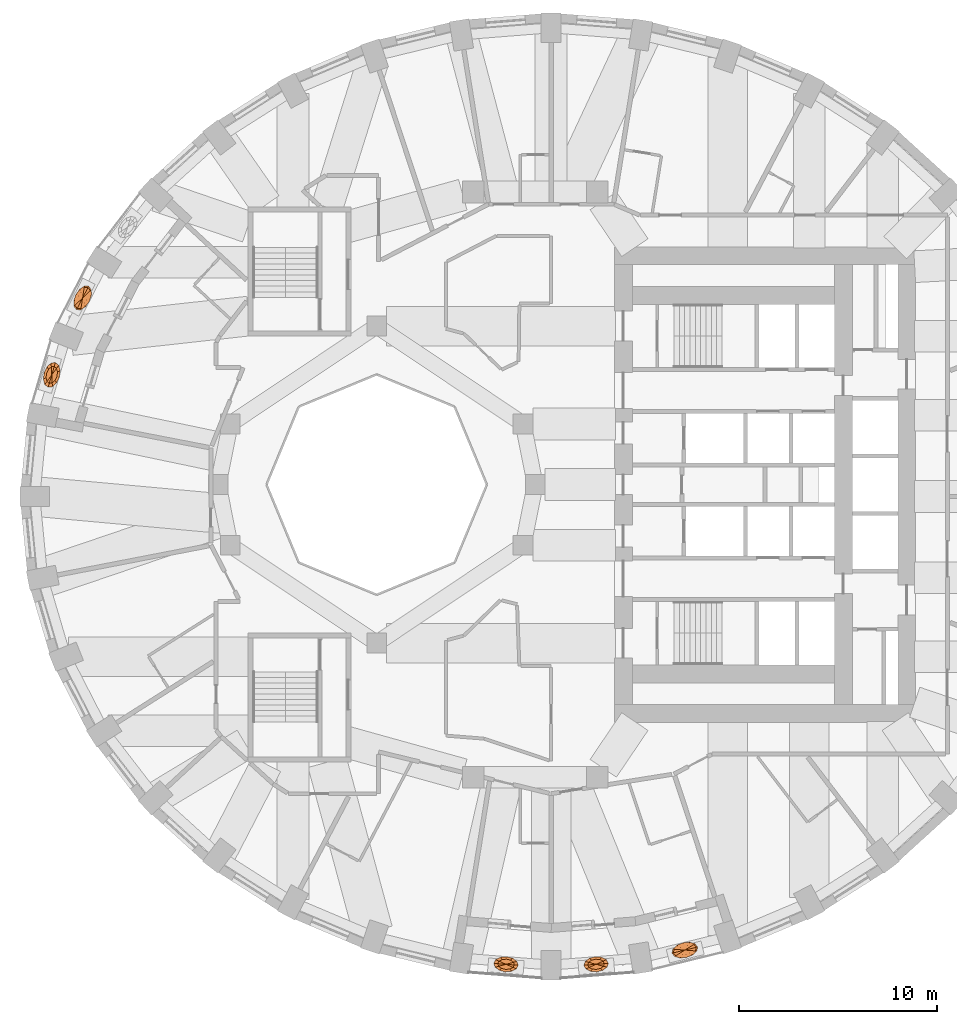
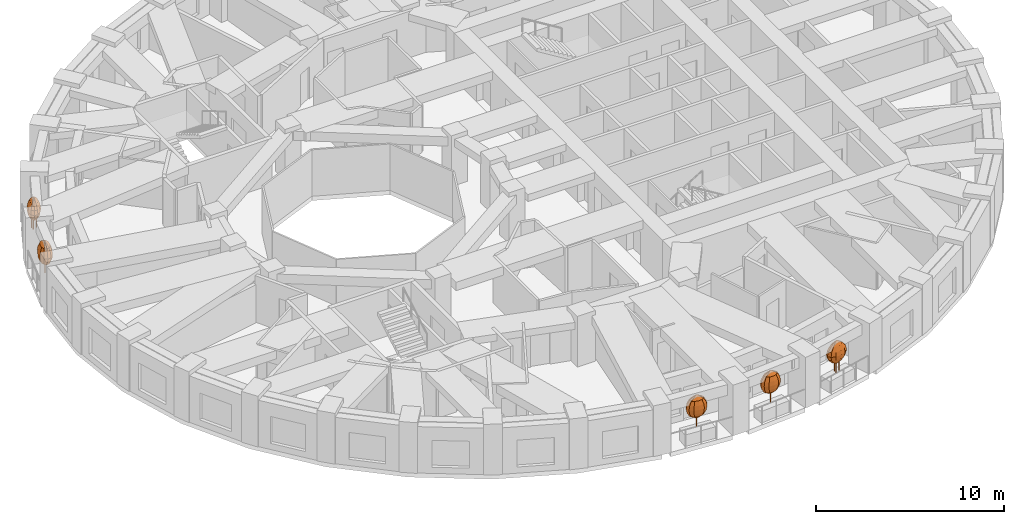
# One storey, part 12 of 13: 5 geographic elements.
"""IFC4 building model written with IfcOpenShell, lengths in metres."""

from ifc_helpers import new_model, si_unit, direction, frame, origin, place, context, subcontext, project, spatial, faceted_brep, material, constituent, constituent_set, type_object, element, save


model = new_model("IFC4")

# Units and contexts
model_context = context("Model", 3, precision=1e-05, world=origin(), true_north=direction((0.0, 1.0)))
body_context = subcontext(model_context, "Body", "Model", "MODEL_VIEW")
ifc_project = project(units=[si_unit("LENGTHUNIT", "METRE"), si_unit("AREAUNIT", "SQUARE_METRE"), si_unit("VOLUMEUNIT", "CUBIC_METRE"), si_unit("PLANEANGLEUNIT", "RADIAN"), si_unit("MASSUNIT", "GRAM", prefix="KILO")], contexts=[model_context])

# Site, building, storey
site_placement = place(None, origin())
site = spatial("IfcSite", under=ifc_project, at=site_placement, CompositionType="ELEMENT")
building_placement = place(site_placement, origin())
building = spatial("IfcBuilding", under=site, at=building_placement, Name="Taillehof Tower", CompositionType="ELEMENT")
storey_placement = place(building_placement, frame((0.0, 0.0, 108.699951171875)))
storey = spatial("IfcBuildingStorey", under=building, at=storey_placement, Name="L30", CompositionType="ELEMENT", Elevation=108.699951171875)

# Geographic elements
ifc_material_1 = material(Name="Tree bark", Category="timber")
ifc_constituent_1 = constituent(ifc_material_1, Name="Trunk", Category="timber")
ifc_material_2 = material(Name="Tree foliage")
ifc_constituent_2 = constituent(ifc_material_2, Name="Crown")
ifc_constituent_set_1 = constituent_set(constituents=[ifc_constituent_1, ifc_constituent_2], Name="Tree TR1 Columnar hornbeam")
geographic_element_type_1 = type_object("IfcGeographicElementType", Name="Tree TR1 Columnar hornbeam", PredefinedType="USERDEFINED", material=ifc_constituent_set_1)
geographic_element_1_placement = place(storey_placement, frame((-24.39794921875, 5.535888671875, 0.75)))
element("IfcGeographicElement", 1, at=geographic_element_1_placement, inside=storey, type_object=geographic_element_type_1, Name="Tree TR1 Columnar hornbeam", ObjectType="TREE", PredefinedType="USERDEFINED", context=body_context, shape_type="Brep", body=[
    faceted_brep([(0.030029296875, 0.0, 0.0), (0.021240234375, 0.021240234375, 0.0), (0.021240234375, 0.021240234375, 1.092529296875), (0.030029296875, 0.0, 1.092529296875), (0.0, 0.030029296875, 0.0), (0.0, 0.030029296875, 1.092529296875), (-0.021240234375, 0.021240234375, 0.0), (-0.021240234375, 0.021240234375, 1.092529296875), (-0.030029296875, 0.0, 0.0), (-0.030029296875, 0.0, 1.092529296875), (-0.021240234375, -0.021240234375, 0.0), (-0.021240234375, -0.021240234375, 1.092529296875), (0.0, -0.030029296875, 0.0), (0.0, -0.030029296875, 1.092529296875), (0.021240234375, -0.021240234375, 0.0), (0.021240234375, -0.021240234375, 1.092529296875)], [[[0, 1, 2, 3]], [[1, 4, 5, 2]], [[4, 6, 7, 5]], [[6, 8, 9, 7]], [[8, 10, 11, 9]], [[10, 12, 13, 11]], [[12, 14, 15, 13]], [[14, 0, 3, 15]], [[14, 12, 10, 8, 6, 4, 1, 0]], [[3, 2, 5, 7, 9, 11, 13, 15]]]),
    faceted_brep([(0.0, 0.0, 0.550048828125), (0.022216796875, -0.407470703125, 0.808349609375), (-0.125732421875, -0.42578125, 0.808349609375), (0.1640625, -0.27978515625, 0.808349609375), (0.261962890625, -0.077392578125, 0.808349609375), (0.289794921875, 0.14599609375, 0.808349609375), (0.23974609375, 0.330078125, 0.808349609375), (0.125732421875, 0.42578125, 0.808349609375), (-0.022216796875, 0.407470703125, 0.808349609375), (-0.1640625, 0.27978515625, 0.808349609375), (-0.261962890625, 0.077392578125, 0.808349609375), (-0.289794921875, -0.14599609375, 0.808349609375), (-0.23974609375, -0.330078125, 0.808349609375), (0.030029296875, -0.551025390625, 1.066650390625), (-0.169921875, -0.575927734375, 1.066650390625), (0.221923828125, -0.378662109375, 1.066650390625), (0.3544921875, -0.1044921875, 1.066650390625), (0.391845703125, 0.197509765625, 1.066650390625), (0.324462890625, 0.446533203125, 1.066650390625), (0.169921875, 0.575927734375, 1.066650390625), (-0.030029296875, 0.551025390625, 1.066650390625), (-0.221923828125, 0.378662109375, 1.066650390625), (-0.3544921875, 0.1044921875, 1.066650390625), (-0.391845703125, -0.197509765625, 1.066650390625), (-0.324462890625, -0.446533203125, 1.066650390625), (0.032470703125, -0.596435546875, 1.324951171875), (-0.18408203125, -0.62353515625, 1.324951171875), (0.240234375, -0.40966796875, 1.324951171875), (0.383544921875, -0.11328125, 1.324951171875), (0.42431640625, 0.213623046875, 1.324951171875), (0.35107421875, 0.4833984375, 1.324951171875), (0.18408203125, 0.62353515625, 1.324951171875), (-0.032470703125, 0.596435546875, 1.324951171875), (-0.240234375, 0.40966796875, 1.324951171875), (-0.383544921875, 0.11328125, 1.324951171875), (-0.42431640625, -0.213623046875, 1.324951171875), (-0.35107421875, -0.4833984375, 1.324951171875), (0.030029296875, -0.551025390625, 1.583251953125), (-0.169921875, -0.575927734375, 1.583251953125), (0.221923828125, -0.378662109375, 1.583251953125), (0.3544921875, -0.1044921875, 1.583251953125), (0.391845703125, 0.197509765625, 1.583251953125), (0.324462890625, 0.446533203125, 1.583251953125), (0.169921875, 0.575927734375, 1.583251953125), (-0.030029296875, 0.551025390625, 1.583251953125), (-0.221923828125, 0.378662109375, 1.583251953125), (-0.3544921875, 0.1044921875, 1.583251953125), (-0.391845703125, -0.197509765625, 1.583251953125), (-0.324462890625, -0.446533203125, 1.583251953125), (0.022216796875, -0.407470703125, 1.841552734375), (-0.125732421875, -0.42578125, 1.841552734375), (0.1640625, -0.27978515625, 1.841552734375), (0.261962890625, -0.077392578125, 1.841552734375), (0.289794921875, 0.14599609375, 1.841552734375), (0.23974609375, 0.330078125, 1.841552734375), (0.125732421875, 0.42578125, 1.841552734375), (-0.022216796875, 0.407470703125, 1.841552734375), (-0.1640625, 0.27978515625, 1.841552734375), (-0.261962890625, 0.077392578125, 1.841552734375), (-0.289794921875, -0.14599609375, 1.841552734375), (-0.23974609375, -0.330078125, 1.841552734375), (0.0, 0.0, 2.10009765625)], [[[0, 1, 2]], [[0, 3, 1]], [[0, 4, 3]], [[0, 5, 4]], [[0, 6, 5]], [[0, 7, 6]], [[0, 8, 7]], [[0, 9, 8]], [[0, 10, 9]], [[0, 11, 10]], [[0, 12, 11]], [[0, 2, 12]], [[2, 1, 13, 14]], [[1, 3, 15, 13]], [[3, 4, 16, 15]], [[4, 5, 17, 16]], [[5, 6, 18, 17]], [[6, 7, 19, 18]], [[7, 8, 20, 19]], [[8, 9, 21, 20]], [[9, 10, 22, 21]], [[10, 11, 23, 22]], [[11, 12, 24, 23]], [[12, 2, 14, 24]], [[14, 13, 25, 26]], [[13, 15, 27, 25]], [[15, 16, 28, 27]], [[16, 17, 29, 28]], [[17, 18, 30, 29]], [[18, 19, 31, 30]], [[19, 20, 32, 31]], [[20, 21, 33, 32]], [[21, 22, 34, 33]], [[22, 23, 35, 34]], [[23, 24, 36, 35]], [[24, 14, 26, 36]], [[26, 25, 37, 38]], [[25, 27, 39, 37]], [[27, 28, 40, 39]], [[28, 29, 41, 40]], [[29, 30, 42, 41]], [[30, 31, 43, 42]], [[31, 32, 44, 43]], [[32, 33, 45, 44]], [[33, 34, 46, 45]], [[34, 35, 47, 46]], [[35, 36, 48, 47]], [[36, 26, 38, 48]], [[38, 37, 49, 50]], [[37, 39, 51, 49]], [[39, 40, 52, 51]], [[40, 41, 53, 52]], [[41, 42, 54, 53]], [[42, 43, 55, 54]], [[43, 44, 56, 55]], [[44, 45, 57, 56]], [[45, 46, 58, 57]], [[46, 47, 59, 58]], [[47, 48, 60, 59]], [[48, 38, 50, 60]], [[50, 49, 61]], [[49, 51, 61]], [[51, 52, 61]], [[52, 53, 61]], [[53, 54, 61]], [[54, 55, 61]], [[55, 56, 61]], [[56, 57, 61]], [[57, 58, 61]], [[58, 59, 61]], [[59, 60, 61]], [[60, 50, 61]]]),
])
geographic_element_2_placement = place(storey_placement, frame((-1.472900390625, -24.20751953125, 0.75)))
element("IfcGeographicElement", 2, at=geographic_element_2_placement, inside=storey, type_object=geographic_element_type_1, Name="Tree TR1 Columnar hornbeam", ObjectType="TREE", PredefinedType="USERDEFINED", context=body_context, shape_type="Brep", body=[
    faceted_brep([(0.030029296875, 0.0, 0.0), (0.021240234375, 0.021240234375, 0.0), (0.021240234375, 0.021240234375, 1.092529296875), (0.030029296875, 0.0, 1.092529296875), (0.0, 0.030029296875, 0.0), (0.0, 0.030029296875, 1.092529296875), (-0.021240234375, 0.021240234375, 0.0), (-0.021240234375, 0.021240234375, 1.092529296875), (-0.030029296875, 0.0, 0.0), (-0.030029296875, 0.0, 1.092529296875), (-0.021240234375, -0.021240234375, 0.0), (-0.021240234375, -0.021240234375, 1.092529296875), (0.0, -0.030029296875, 0.0), (0.0, -0.030029296875, 1.092529296875), (0.021240234375, -0.021240234375, 0.0), (0.021240234375, -0.021240234375, 1.092529296875)], [[[0, 1, 2, 3]], [[1, 4, 5, 2]], [[4, 6, 7, 5]], [[6, 8, 9, 7]], [[8, 10, 11, 9]], [[10, 12, 13, 11]], [[12, 14, 15, 13]], [[14, 0, 3, 15]], [[14, 12, 10, 8, 6, 4, 1, 0]], [[3, 2, 5, 7, 9, 11, 13, 15]]]),
    faceted_brep([(0.0, 0.0, 0.550048828125), (0.374267578125, 0.100341796875, 0.808349609375), (0.42041015625, -0.033447265625, 0.808349609375), (0.22802734375, 0.207275390625, 0.808349609375), (0.0205078125, 0.2587890625, 0.808349609375), (-0.1923828125, 0.24072265625, 0.808349609375), (-0.353759765625, 0.158203125, 0.808349609375), (-0.42041015625, 0.033447265625, 0.808349609375), (-0.374267578125, -0.100341796875, 0.808349609375), (-0.22802734375, -0.207275390625, 0.808349609375), (-0.0205078125, -0.2587890625, 0.808349609375), (0.1923828125, -0.24072265625, 0.808349609375), (0.353759765625, -0.158203125, 0.808349609375), (0.50634765625, 0.135986328125, 1.066650390625), (0.56884765625, -0.045166015625, 1.066650390625), (0.308349609375, 0.280517578125, 1.066650390625), (0.02783203125, 0.35009765625, 1.066650390625), (-0.26025390625, 0.32568359375, 1.066650390625), (-0.478759765625, 0.214111328125, 1.066650390625), (-0.56884765625, 0.045166015625, 1.066650390625), (-0.50634765625, -0.135986328125, 1.066650390625), (-0.308349609375, -0.280517578125, 1.066650390625), (-0.02783203125, -0.35009765625, 1.066650390625), (0.26025390625, -0.32568359375, 1.066650390625), (0.478759765625, -0.214111328125, 1.066650390625), (0.548095703125, 0.14697265625, 1.324951171875), (0.615478515625, -0.048828125, 1.324951171875), (0.333740234375, 0.3037109375, 1.324951171875), (0.030029296875, 0.37890625, 1.324951171875), (-0.28173828125, 0.3525390625, 1.324951171875), (-0.51806640625, 0.231689453125, 1.324951171875), (-0.615478515625, 0.048828125, 1.324951171875), (-0.548095703125, -0.14697265625, 1.324951171875), (-0.333740234375, -0.3037109375, 1.324951171875), (-0.030029296875, -0.37890625, 1.324951171875), (0.28173828125, -0.3525390625, 1.324951171875), (0.51806640625, -0.231689453125, 1.324951171875), (0.50634765625, 0.135986328125, 1.583251953125), (0.56884765625, -0.045166015625, 1.583251953125), (0.308349609375, 0.280517578125, 1.583251953125), (0.02783203125, 0.35009765625, 1.583251953125), (-0.26025390625, 0.32568359375, 1.583251953125), (-0.478759765625, 0.214111328125, 1.583251953125), (-0.56884765625, 0.045166015625, 1.583251953125), (-0.50634765625, -0.135986328125, 1.583251953125), (-0.308349609375, -0.280517578125, 1.583251953125), (-0.02783203125, -0.35009765625, 1.583251953125), (0.26025390625, -0.32568359375, 1.583251953125), (0.478759765625, -0.214111328125, 1.583251953125), (0.374267578125, 0.100341796875, 1.841552734375), (0.42041015625, -0.033447265625, 1.841552734375), (0.22802734375, 0.207275390625, 1.841552734375), (0.0205078125, 0.2587890625, 1.841552734375), (-0.1923828125, 0.24072265625, 1.841552734375), (-0.353759765625, 0.158203125, 1.841552734375), (-0.42041015625, 0.033447265625, 1.841552734375), (-0.374267578125, -0.100341796875, 1.841552734375), (-0.22802734375, -0.207275390625, 1.841552734375), (-0.0205078125, -0.2587890625, 1.841552734375), (0.1923828125, -0.24072265625, 1.841552734375), (0.353759765625, -0.158203125, 1.841552734375), (0.0, 0.0, 2.10009765625)], [[[0, 1, 2]], [[0, 3, 1]], [[0, 4, 3]], [[0, 5, 4]], [[0, 6, 5]], [[0, 7, 6]], [[0, 8, 7]], [[0, 9, 8]], [[0, 10, 9]], [[0, 11, 10]], [[0, 12, 11]], [[0, 2, 12]], [[2, 1, 13, 14]], [[1, 3, 15, 13]], [[3, 4, 16, 15]], [[4, 5, 17, 16]], [[5, 6, 18, 17]], [[6, 7, 19, 18]], [[7, 8, 20, 19]], [[8, 9, 21, 20]], [[9, 10, 22, 21]], [[10, 11, 23, 22]], [[11, 12, 24, 23]], [[12, 2, 14, 24]], [[14, 13, 25, 26]], [[13, 15, 27, 25]], [[15, 16, 28, 27]], [[16, 17, 29, 28]], [[17, 18, 30, 29]], [[18, 19, 31, 30]], [[19, 20, 32, 31]], [[20, 21, 33, 32]], [[21, 22, 34, 33]], [[22, 23, 35, 34]], [[23, 24, 36, 35]], [[24, 14, 26, 36]], [[26, 25, 37, 38]], [[25, 27, 39, 37]], [[27, 28, 40, 39]], [[28, 29, 41, 40]], [[29, 30, 42, 41]], [[30, 31, 43, 42]], [[31, 32, 44, 43]], [[32, 33, 45, 44]], [[33, 34, 46, 45]], [[34, 35, 47, 46]], [[35, 36, 48, 47]], [[36, 26, 38, 48]], [[38, 37, 49, 50]], [[37, 39, 51, 49]], [[39, 40, 52, 51]], [[40, 41, 53, 52]], [[41, 42, 54, 53]], [[42, 43, 55, 54]], [[43, 44, 56, 55]], [[44, 45, 57, 56]], [[45, 46, 58, 57]], [[46, 47, 59, 58]], [[47, 48, 60, 59]], [[48, 38, 50, 60]], [[50, 49, 61]], [[49, 51, 61]], [[51, 52, 61]], [[52, 53, 61]], [[53, 54, 61]], [[54, 55, 61]], [[55, 56, 61]], [[56, 57, 61]], [[57, 58, 61]], [[58, 59, 61]], [[59, 60, 61]], [[60, 50, 61]]]),
])
geographic_element_3_placement = place(storey_placement, frame((3.072998046875, -24.20751953125, 0.75)))
element("IfcGeographicElement", 3, at=geographic_element_3_placement, inside=storey, type_object=geographic_element_type_1, Name="Tree TR1 Columnar hornbeam", ObjectType="TREE", PredefinedType="USERDEFINED", context=body_context, shape_type="Brep", body=[
    faceted_brep([(0.030029296875, 0.0, 0.0), (0.021240234375, 0.021240234375, 0.0), (0.021240234375, 0.021240234375, 1.092529296875), (0.030029296875, 0.0, 1.092529296875), (0.0, 0.030029296875, 0.0), (0.0, 0.030029296875, 1.092529296875), (-0.021240234375, 0.021240234375, 0.0), (-0.021240234375, 0.021240234375, 1.092529296875), (-0.030029296875, 0.0, 0.0), (-0.030029296875, 0.0, 1.092529296875), (-0.021240234375, -0.021240234375, 0.0), (-0.021240234375, -0.021240234375, 1.092529296875), (0.0, -0.030029296875, 0.0), (0.0, -0.030029296875, 1.092529296875), (0.021240234375, -0.021240234375, 0.0), (0.021240234375, -0.021240234375, 1.092529296875)], [[[0, 1, 2, 3]], [[1, 4, 5, 2]], [[4, 6, 7, 5]], [[6, 8, 9, 7]], [[8, 10, 11, 9]], [[10, 12, 13, 11]], [[12, 14, 15, 13]], [[14, 0, 3, 15]], [[14, 12, 10, 8, 6, 4, 1, 0]], [[3, 2, 5, 7, 9, 11, 13, 15]]]),
    faceted_brep([(0.0, 0.0, 0.550048828125), (0.353759765625, 0.158203125, 0.808349609375), (0.42041015625, 0.033447265625, 0.808349609375), (0.1923828125, 0.24072265625, 0.808349609375), (-0.0205078125, 0.2587890625, 0.808349609375), (-0.22802734375, 0.207275390625, 0.808349609375), (-0.374267578125, 0.100341796875, 0.808349609375), (-0.42041015625, -0.033447265625, 0.808349609375), (-0.353759765625, -0.158203125, 0.808349609375), (-0.1923828125, -0.24072265625, 0.808349609375), (0.0205078125, -0.2587890625, 0.808349609375), (0.22802734375, -0.207275390625, 0.808349609375), (0.374267578125, -0.100341796875, 0.808349609375), (0.478759765625, 0.214111328125, 1.066650390625), (0.56884765625, 0.045166015625, 1.066650390625), (0.26025390625, 0.32568359375, 1.066650390625), (-0.02783203125, 0.35009765625, 1.066650390625), (-0.308349609375, 0.280517578125, 1.066650390625), (-0.50634765625, 0.135986328125, 1.066650390625), (-0.56884765625, -0.045166015625, 1.066650390625), (-0.478759765625, -0.214111328125, 1.066650390625), (-0.26025390625, -0.32568359375, 1.066650390625), (0.02783203125, -0.35009765625, 1.066650390625), (0.308349609375, -0.280517578125, 1.066650390625), (0.50634765625, -0.135986328125, 1.066650390625), (0.51806640625, 0.231689453125, 1.324951171875), (0.615478515625, 0.048828125, 1.324951171875), (0.28173828125, 0.3525390625, 1.324951171875), (-0.030029296875, 0.37890625, 1.324951171875), (-0.333740234375, 0.3037109375, 1.324951171875), (-0.548095703125, 0.14697265625, 1.324951171875), (-0.615478515625, -0.048828125, 1.324951171875), (-0.51806640625, -0.231689453125, 1.324951171875), (-0.28173828125, -0.3525390625, 1.324951171875), (0.030029296875, -0.37890625, 1.324951171875), (0.333740234375, -0.3037109375, 1.324951171875), (0.548095703125, -0.14697265625, 1.324951171875), (0.478759765625, 0.214111328125, 1.583251953125), (0.56884765625, 0.045166015625, 1.583251953125), (0.26025390625, 0.32568359375, 1.583251953125), (-0.02783203125, 0.35009765625, 1.583251953125), (-0.308349609375, 0.280517578125, 1.583251953125), (-0.50634765625, 0.135986328125, 1.583251953125), (-0.56884765625, -0.045166015625, 1.583251953125), (-0.478759765625, -0.214111328125, 1.583251953125), (-0.26025390625, -0.32568359375, 1.583251953125), (0.02783203125, -0.35009765625, 1.583251953125), (0.308349609375, -0.280517578125, 1.583251953125), (0.50634765625, -0.135986328125, 1.583251953125), (0.353759765625, 0.158203125, 1.841552734375), (0.42041015625, 0.033447265625, 1.841552734375), (0.1923828125, 0.24072265625, 1.841552734375), (-0.0205078125, 0.2587890625, 1.841552734375), (-0.22802734375, 0.207275390625, 1.841552734375), (-0.374267578125, 0.100341796875, 1.841552734375), (-0.42041015625, -0.033447265625, 1.841552734375), (-0.353759765625, -0.158203125, 1.841552734375), (-0.1923828125, -0.24072265625, 1.841552734375), (0.0205078125, -0.2587890625, 1.841552734375), (0.22802734375, -0.207275390625, 1.841552734375), (0.374267578125, -0.100341796875, 1.841552734375), (0.0, 0.0, 2.10009765625)], [[[0, 1, 2]], [[0, 3, 1]], [[0, 4, 3]], [[0, 5, 4]], [[0, 6, 5]], [[0, 7, 6]], [[0, 8, 7]], [[0, 9, 8]], [[0, 10, 9]], [[0, 11, 10]], [[0, 12, 11]], [[0, 2, 12]], [[2, 1, 13, 14]], [[1, 3, 15, 13]], [[3, 4, 16, 15]], [[4, 5, 17, 16]], [[5, 6, 18, 17]], [[6, 7, 19, 18]], [[7, 8, 20, 19]], [[8, 9, 21, 20]], [[9, 10, 22, 21]], [[10, 11, 23, 22]], [[11, 12, 24, 23]], [[12, 2, 14, 24]], [[14, 13, 25, 26]], [[13, 15, 27, 25]], [[15, 16, 28, 27]], [[16, 17, 29, 28]], [[17, 18, 30, 29]], [[18, 19, 31, 30]], [[19, 20, 32, 31]], [[20, 21, 33, 32]], [[21, 22, 34, 33]], [[22, 23, 35, 34]], [[23, 24, 36, 35]], [[24, 14, 26, 36]], [[26, 25, 37, 38]], [[25, 27, 39, 37]], [[27, 28, 40, 39]], [[28, 29, 41, 40]], [[29, 30, 42, 41]], [[30, 31, 43, 42]], [[31, 32, 44, 43]], [[32, 33, 45, 44]], [[33, 34, 46, 45]], [[34, 35, 47, 46]], [[35, 36, 48, 47]], [[36, 26, 38, 48]], [[38, 37, 49, 50]], [[37, 39, 51, 49]], [[39, 40, 52, 51]], [[40, 41, 53, 52]], [[41, 42, 54, 53]], [[42, 43, 55, 54]], [[43, 44, 56, 55]], [[44, 45, 57, 56]], [[45, 46, 58, 57]], [[46, 47, 59, 58]], [[47, 48, 60, 59]], [[48, 38, 50, 60]], [[50, 49, 61]], [[49, 51, 61]], [[51, 52, 61]], [[52, 53, 61]], [[53, 54, 61]], [[54, 55, 61]], [[55, 56, 61]], [[56, 57, 61]], [[57, 58, 61]], [[58, 59, 61]], [[59, 60, 61]], [[60, 50, 61]]]),
])
ifc_material_3 = material(Name="Tree bark", Category="timber")
ifc_constituent_3 = constituent(ifc_material_3, Name="Trunk", Category="timber")
ifc_material_4 = material(Name="Tree foliage")
ifc_constituent_4 = constituent(ifc_material_4, Name="Crown")
ifc_constituent_set_2 = constituent_set(constituents=[ifc_constituent_3, ifc_constituent_4], Name="Tree TR3 Multi-stem serviceberry")
geographic_element_type_2 = type_object("IfcGeographicElementType", Name="Tree TR3 Multi-stem serviceberry", PredefinedType="USERDEFINED", material=ifc_constituent_set_2)
geographic_element_4_placement = place(storey_placement, frame((-22.841796875, 9.41845703125, 0.75)))
element("IfcGeographicElement", 4, at=geographic_element_4_placement, inside=storey, type_object=geographic_element_type_2, Name="Tree TR3 Multi-stem serviceberry", ObjectType="TREE", PredefinedType="USERDEFINED", context=body_context, shape_type="Brep", body=[
    faceted_brep([(0.195068359375, 0.0, 0.0), (0.186767578125, 0.0205078125, 0.0), (0.186767578125, 0.0205078125, 1.04248046875), (0.195068359375, 0.0, 1.04248046875), (0.166259765625, 0.02880859375, 0.0), (0.166259765625, 0.02880859375, 1.04248046875), (0.145751953125, 0.0205078125, 0.0), (0.145751953125, 0.0205078125, 1.04248046875), (0.137451171875, 0.0, 0.0), (0.137451171875, 0.0, 1.04248046875), (0.145751953125, -0.0205078125, 0.0), (0.145751953125, -0.0205078125, 1.04248046875), (0.166259765625, -0.02880859375, 0.0), (0.166259765625, -0.02880859375, 1.04248046875), (0.186767578125, -0.0205078125, 0.0), (0.186767578125, -0.0205078125, 1.04248046875)], [[[0, 1, 2, 3]], [[1, 4, 5, 2]], [[4, 6, 7, 5]], [[6, 8, 9, 7]], [[8, 10, 11, 9]], [[10, 12, 13, 11]], [[12, 14, 15, 13]], [[14, 0, 3, 15]], [[14, 12, 10, 8, 6, 4, 1, 0]], [[3, 2, 5, 7, 9, 11, 13, 15]]]),
    faceted_brep([(-0.05419921875, 0.082275390625, 0.0), (-0.062744140625, 0.102783203125, 0.0), (-0.062744140625, 0.102783203125, 1.04248046875), (-0.05419921875, 0.082275390625, 1.04248046875), (-0.0830078125, 0.111083984375, 0.0), (-0.0830078125, 0.111083984375, 1.04248046875), (-0.103515625, 0.102783203125, 0.0), (-0.103515625, 0.102783203125, 1.04248046875), (-0.112060546875, 0.082275390625, 0.0), (-0.112060546875, 0.082275390625, 1.04248046875), (-0.103515625, 0.061767578125, 0.0), (-0.103515625, 0.061767578125, 1.04248046875), (-0.0830078125, 0.053466796875, 0.0), (-0.0830078125, 0.053466796875, 1.04248046875), (-0.062744140625, 0.061767578125, 0.0), (-0.062744140625, 0.061767578125, 1.04248046875)], [[[0, 1, 2, 3]], [[1, 4, 5, 2]], [[4, 6, 7, 5]], [[6, 8, 9, 7]], [[8, 10, 11, 9]], [[10, 12, 13, 11]], [[12, 14, 15, 13]], [[14, 0, 3, 15]], [[14, 12, 10, 8, 6, 4, 1, 0]], [[3, 2, 5, 7, 9, 11, 13, 15]]]),
    faceted_brep([(-0.05419921875, -0.082275390625, 0.0), (-0.062744140625, -0.061767578125, 0.0), (-0.062744140625, -0.061767578125, 1.04248046875), (-0.05419921875, -0.082275390625, 1.04248046875), (-0.0830078125, -0.053466796875, 0.0), (-0.0830078125, -0.053466796875, 1.04248046875), (-0.103515625, -0.061767578125, 0.0), (-0.103515625, -0.061767578125, 1.04248046875), (-0.112060546875, -0.082275390625, 0.0), (-0.112060546875, -0.082275390625, 1.04248046875), (-0.103515625, -0.102783203125, 0.0), (-0.103515625, -0.102783203125, 1.04248046875), (-0.0830078125, -0.111083984375, 0.0), (-0.0830078125, -0.111083984375, 1.04248046875), (-0.062744140625, -0.102783203125, 0.0), (-0.062744140625, -0.102783203125, 1.04248046875)], [[[0, 1, 2, 3]], [[1, 4, 5, 2]], [[4, 6, 7, 5]], [[6, 8, 9, 7]], [[8, 10, 11, 9]], [[10, 12, 13, 11]], [[12, 14, 15, 13]], [[14, 0, 3, 15]], [[14, 12, 10, 8, 6, 4, 1, 0]], [[3, 2, 5, 7, 9, 11, 13, 15]]]),
    faceted_brep([(0.0, 0.0, 0.5), (-0.053955078125, -0.343994140625, 0.75830078125), (-0.174560546875, -0.33984375, 0.75830078125), (0.080810546875, -0.25634765625, 0.75830078125), (0.194091796875, -0.099609375, 0.75830078125), (0.25537109375, 0.08349609375, 0.75830078125), (0.248291015625, 0.244384765625, 0.75830078125), (0.174560546875, 0.33984375, 0.75830078125), (0.053955078125, 0.343994140625, 0.75830078125), (-0.080810546875, 0.25634765625, 0.75830078125), (-0.194091796875, 0.099609375, 0.75830078125), (-0.25537109375, -0.08349609375, 0.75830078125), (-0.248291015625, -0.244384765625, 0.75830078125), (-0.083740234375, -0.533935546875, 1.0166015625), (-0.270751953125, -0.52734375, 1.0166015625), (0.12548828125, -0.397705078125, 1.0166015625), (0.30126953125, -0.15478515625, 1.0166015625), (0.396240234375, 0.129638671875, 1.0166015625), (0.38525390625, 0.379150390625, 1.0166015625), (0.270751953125, 0.52734375, 1.0166015625), (0.083740234375, 0.533935546875, 1.0166015625), (-0.12548828125, 0.397705078125, 1.0166015625), (-0.30126953125, 0.15478515625, 1.0166015625), (-0.396240234375, -0.129638671875, 1.0166015625), (-0.38525390625, -0.379150390625, 1.0166015625), (-0.093994140625, -0.59912109375, 1.27490234375), (-0.3037109375, -0.591552734375, 1.27490234375), (0.140869140625, -0.446044921875, 1.27490234375), (0.338134765625, -0.173583984375, 1.27490234375), (0.444580078125, 0.1455078125, 1.27490234375), (0.43212890625, 0.425537109375, 1.27490234375), (0.3037109375, 0.591552734375, 1.27490234375), (0.093994140625, 0.59912109375, 1.27490234375), (-0.140869140625, 0.446044921875, 1.27490234375), (-0.338134765625, 0.173583984375, 1.27490234375), (-0.444580078125, -0.1455078125, 1.27490234375), (-0.43212890625, -0.425537109375, 1.27490234375), (-0.083740234375, -0.533935546875, 1.533447265625), (-0.270751953125, -0.52734375, 1.533447265625), (0.12548828125, -0.397705078125, 1.533447265625), (0.30126953125, -0.15478515625, 1.533447265625), (0.396240234375, 0.129638671875, 1.533447265625), (0.38525390625, 0.379150390625, 1.533447265625), (0.270751953125, 0.52734375, 1.533447265625), (0.083740234375, 0.533935546875, 1.533447265625), (-0.12548828125, 0.397705078125, 1.533447265625), (-0.30126953125, 0.15478515625, 1.533447265625), (-0.396240234375, -0.129638671875, 1.533447265625), (-0.38525390625, -0.379150390625, 1.533447265625), (-0.053955078125, -0.343994140625, 1.791748046875), (-0.174560546875, -0.33984375, 1.791748046875), (0.080810546875, -0.25634765625, 1.791748046875), (0.194091796875, -0.099609375, 1.791748046875), (0.25537109375, 0.08349609375, 1.791748046875), (0.248291015625, 0.244384765625, 1.791748046875), (0.174560546875, 0.33984375, 1.791748046875), (0.053955078125, 0.343994140625, 1.791748046875), (-0.080810546875, 0.25634765625, 1.791748046875), (-0.194091796875, 0.099609375, 1.791748046875), (-0.25537109375, -0.08349609375, 1.791748046875), (-0.248291015625, -0.244384765625, 1.791748046875), (0.0, 0.0, 2.050048828125)], [[[0, 1, 2]], [[0, 3, 1]], [[0, 4, 3]], [[0, 5, 4]], [[0, 6, 5]], [[0, 7, 6]], [[0, 8, 7]], [[0, 9, 8]], [[0, 10, 9]], [[0, 11, 10]], [[0, 12, 11]], [[0, 2, 12]], [[2, 1, 13, 14]], [[1, 3, 15, 13]], [[3, 4, 16, 15]], [[4, 5, 17, 16]], [[5, 6, 18, 17]], [[6, 7, 19, 18]], [[7, 8, 20, 19]], [[8, 9, 21, 20]], [[9, 10, 22, 21]], [[10, 11, 23, 22]], [[11, 12, 24, 23]], [[12, 2, 14, 24]], [[14, 13, 25, 26]], [[13, 15, 27, 25]], [[15, 16, 28, 27]], [[16, 17, 29, 28]], [[17, 18, 30, 29]], [[18, 19, 31, 30]], [[19, 20, 32, 31]], [[20, 21, 33, 32]], [[21, 22, 34, 33]], [[22, 23, 35, 34]], [[23, 24, 36, 35]], [[24, 14, 26, 36]], [[26, 25, 37, 38]], [[25, 27, 39, 37]], [[27, 28, 40, 39]], [[28, 29, 41, 40]], [[29, 30, 42, 41]], [[30, 31, 43, 42]], [[31, 32, 44, 43]], [[32, 33, 45, 44]], [[33, 34, 46, 45]], [[34, 35, 47, 46]], [[35, 36, 48, 47]], [[36, 26, 38, 48]], [[38, 37, 49, 50]], [[37, 39, 51, 49]], [[39, 40, 52, 51]], [[40, 41, 53, 52]], [[41, 42, 54, 53]], [[42, 43, 55, 54]], [[43, 44, 56, 55]], [[44, 45, 57, 56]], [[45, 46, 58, 57]], [[46, 47, 59, 58]], [[47, 48, 60, 59]], [[48, 38, 50, 60]], [[50, 49, 61]], [[49, 51, 61]], [[51, 52, 61]], [[52, 53, 61]], [[53, 54, 61]], [[54, 55, 61]], [[55, 56, 61]], [[56, 57, 61]], [[57, 58, 61]], [[58, 59, 61]], [[59, 60, 61]], [[60, 50, 61]]]),
])
geographic_element_5_placement = place(storey_placement, frame((7.5498046875, -23.49072265625, 0.75)))
element("IfcGeographicElement", 5, at=geographic_element_5_placement, inside=storey, type_object=geographic_element_type_2, Name="Tree TR3 Multi-stem serviceberry", ObjectType="TREE", PredefinedType="USERDEFINED", context=body_context, shape_type="Brep", body=[
    faceted_brep([(0.195068359375, 0.0, 0.0), (0.186767578125, 0.0205078125, 0.0), (0.186767578125, 0.0205078125, 1.04248046875), (0.195068359375, 0.0, 1.04248046875), (0.166259765625, 0.02880859375, 0.0), (0.166259765625, 0.02880859375, 1.04248046875), (0.145751953125, 0.0205078125, 0.0), (0.145751953125, 0.0205078125, 1.04248046875), (0.137451171875, 0.0, 0.0), (0.137451171875, 0.0, 1.04248046875), (0.145751953125, -0.0205078125, 0.0), (0.145751953125, -0.0205078125, 1.04248046875), (0.166259765625, -0.02880859375, 0.0), (0.166259765625, -0.02880859375, 1.04248046875), (0.186767578125, -0.0205078125, 0.0), (0.186767578125, -0.0205078125, 1.04248046875)], [[[0, 1, 2, 3]], [[1, 4, 5, 2]], [[4, 6, 7, 5]], [[6, 8, 9, 7]], [[8, 10, 11, 9]], [[10, 12, 13, 11]], [[12, 14, 15, 13]], [[14, 0, 3, 15]], [[14, 12, 10, 8, 6, 4, 1, 0]], [[3, 2, 5, 7, 9, 11, 13, 15]]]),
    faceted_brep([(-0.05419921875, 0.082275390625, 0.0), (-0.062744140625, 0.102783203125, 0.0), (-0.062744140625, 0.102783203125, 1.04248046875), (-0.05419921875, 0.082275390625, 1.04248046875), (-0.0830078125, 0.111083984375, 0.0), (-0.0830078125, 0.111083984375, 1.04248046875), (-0.103515625, 0.102783203125, 0.0), (-0.103515625, 0.102783203125, 1.04248046875), (-0.112060546875, 0.082275390625, 0.0), (-0.112060546875, 0.082275390625, 1.04248046875), (-0.103515625, 0.061767578125, 0.0), (-0.103515625, 0.061767578125, 1.04248046875), (-0.0830078125, 0.053466796875, 0.0), (-0.0830078125, 0.053466796875, 1.04248046875), (-0.062744140625, 0.061767578125, 0.0), (-0.062744140625, 0.061767578125, 1.04248046875)], [[[0, 1, 2, 3]], [[1, 4, 5, 2]], [[4, 6, 7, 5]], [[6, 8, 9, 7]], [[8, 10, 11, 9]], [[10, 12, 13, 11]], [[12, 14, 15, 13]], [[14, 0, 3, 15]], [[14, 12, 10, 8, 6, 4, 1, 0]], [[3, 2, 5, 7, 9, 11, 13, 15]]]),
    faceted_brep([(-0.05419921875, -0.082275390625, 0.0), (-0.062744140625, -0.061767578125, 0.0), (-0.062744140625, -0.061767578125, 1.04248046875), (-0.05419921875, -0.082275390625, 1.04248046875), (-0.0830078125, -0.053466796875, 0.0), (-0.0830078125, -0.053466796875, 1.04248046875), (-0.103515625, -0.061767578125, 0.0), (-0.103515625, -0.061767578125, 1.04248046875), (-0.112060546875, -0.082275390625, 0.0), (-0.112060546875, -0.082275390625, 1.04248046875), (-0.103515625, -0.102783203125, 0.0), (-0.103515625, -0.102783203125, 1.04248046875), (-0.0830078125, -0.111083984375, 0.0), (-0.0830078125, -0.111083984375, 1.04248046875), (-0.062744140625, -0.102783203125, 0.0), (-0.062744140625, -0.102783203125, 1.04248046875)], [[[0, 1, 2, 3]], [[1, 4, 5, 2]], [[4, 6, 7, 5]], [[6, 8, 9, 7]], [[8, 10, 11, 9]], [[10, 12, 13, 11]], [[12, 14, 15, 13]], [[14, 0, 3, 15]], [[14, 12, 10, 8, 6, 4, 1, 0]], [[3, 2, 5, 7, 9, 11, 13, 15]]]),
    faceted_brep([(0.0, 0.0, 0.5), (0.295654296875, 0.184326171875, 0.75830078125), (0.37109375, 0.09033203125, 0.75830078125), (0.140869140625, 0.228759765625, 0.75830078125), (-0.051513671875, 0.212158203125, 0.75830078125), (-0.230224609375, 0.138427734375, 0.75830078125), (-0.34716796875, 0.02783203125, 0.75830078125), (-0.37109375, -0.09033203125, 0.75830078125), (-0.295654296875, -0.184326171875, 0.75830078125), (-0.140869140625, -0.228759765625, 0.75830078125), (0.051513671875, -0.212158203125, 0.75830078125), (0.230224609375, -0.138427734375, 0.75830078125), (0.34716796875, -0.02783203125, 0.75830078125), (0.458740234375, 0.285888671875, 1.0166015625), (0.575927734375, 0.14013671875, 1.0166015625), (0.218505859375, 0.35498046875, 1.0166015625), (-0.080078125, 0.3291015625, 1.0166015625), (-0.357177734375, 0.21484375, 1.0166015625), (-0.538818359375, 0.043212890625, 1.0166015625), (-0.575927734375, -0.14013671875, 1.0166015625), (-0.458740234375, -0.285888671875, 1.0166015625), (-0.218505859375, -0.35498046875, 1.0166015625), (0.080078125, -0.3291015625, 1.0166015625), (0.357177734375, -0.21484375, 1.0166015625), (0.538818359375, -0.043212890625, 1.0166015625), (0.5146484375, 0.32080078125, 1.27490234375), (0.646240234375, 0.1572265625, 1.27490234375), (0.245361328125, 0.3984375, 1.27490234375), (-0.08984375, 0.369140625, 1.27490234375), (-0.40087890625, 0.2412109375, 1.27490234375), (-0.6044921875, 0.048583984375, 1.27490234375), (-0.646240234375, -0.1572265625, 1.27490234375), (-0.5146484375, -0.32080078125, 1.27490234375), (-0.245361328125, -0.3984375, 1.27490234375), (0.08984375, -0.369140625, 1.27490234375), (0.40087890625, -0.2412109375, 1.27490234375), (0.6044921875, -0.048583984375, 1.27490234375), (0.458740234375, 0.285888671875, 1.533447265625), (0.575927734375, 0.14013671875, 1.533447265625), (0.218505859375, 0.35498046875, 1.533447265625), (-0.080078125, 0.3291015625, 1.533447265625), (-0.357177734375, 0.21484375, 1.533447265625), (-0.538818359375, 0.043212890625, 1.533447265625), (-0.575927734375, -0.14013671875, 1.533447265625), (-0.458740234375, -0.285888671875, 1.533447265625), (-0.218505859375, -0.35498046875, 1.533447265625), (0.080078125, -0.3291015625, 1.533447265625), (0.357177734375, -0.21484375, 1.533447265625), (0.538818359375, -0.043212890625, 1.533447265625), (0.295654296875, 0.184326171875, 1.791748046875), (0.37109375, 0.09033203125, 1.791748046875), (0.140869140625, 0.228759765625, 1.791748046875), (-0.051513671875, 0.212158203125, 1.791748046875), (-0.230224609375, 0.138427734375, 1.791748046875), (-0.34716796875, 0.02783203125, 1.791748046875), (-0.37109375, -0.09033203125, 1.791748046875), (-0.295654296875, -0.184326171875, 1.791748046875), (-0.140869140625, -0.228759765625, 1.791748046875), (0.051513671875, -0.212158203125, 1.791748046875), (0.230224609375, -0.138427734375, 1.791748046875), (0.34716796875, -0.02783203125, 1.791748046875), (0.0, 0.0, 2.050048828125)], [[[0, 1, 2]], [[0, 3, 1]], [[0, 4, 3]], [[0, 5, 4]], [[0, 6, 5]], [[0, 7, 6]], [[0, 8, 7]], [[0, 9, 8]], [[0, 10, 9]], [[0, 11, 10]], [[0, 12, 11]], [[0, 2, 12]], [[2, 1, 13, 14]], [[1, 3, 15, 13]], [[3, 4, 16, 15]], [[4, 5, 17, 16]], [[5, 6, 18, 17]], [[6, 7, 19, 18]], [[7, 8, 20, 19]], [[8, 9, 21, 20]], [[9, 10, 22, 21]], [[10, 11, 23, 22]], [[11, 12, 24, 23]], [[12, 2, 14, 24]], [[14, 13, 25, 26]], [[13, 15, 27, 25]], [[15, 16, 28, 27]], [[16, 17, 29, 28]], [[17, 18, 30, 29]], [[18, 19, 31, 30]], [[19, 20, 32, 31]], [[20, 21, 33, 32]], [[21, 22, 34, 33]], [[22, 23, 35, 34]], [[23, 24, 36, 35]], [[24, 14, 26, 36]], [[26, 25, 37, 38]], [[25, 27, 39, 37]], [[27, 28, 40, 39]], [[28, 29, 41, 40]], [[29, 30, 42, 41]], [[30, 31, 43, 42]], [[31, 32, 44, 43]], [[32, 33, 45, 44]], [[33, 34, 46, 45]], [[34, 35, 47, 46]], [[35, 36, 48, 47]], [[36, 26, 38, 48]], [[38, 37, 49, 50]], [[37, 39, 51, 49]], [[39, 40, 52, 51]], [[40, 41, 53, 52]], [[41, 42, 54, 53]], [[42, 43, 55, 54]], [[43, 44, 56, 55]], [[44, 45, 57, 56]], [[45, 46, 58, 57]], [[46, 47, 59, 58]], [[47, 48, 60, 59]], [[48, 38, 50, 60]], [[50, 49, 61]], [[49, 51, 61]], [[51, 52, 61]], [[52, 53, 61]], [[53, 54, 61]], [[54, 55, 61]], [[55, 56, 61]], [[56, 57, 61]], [[57, 58, 61]], [[58, 59, 61]], [[59, 60, 61]], [[60, 50, 61]]]),
])

save(model, "model.ifc")
